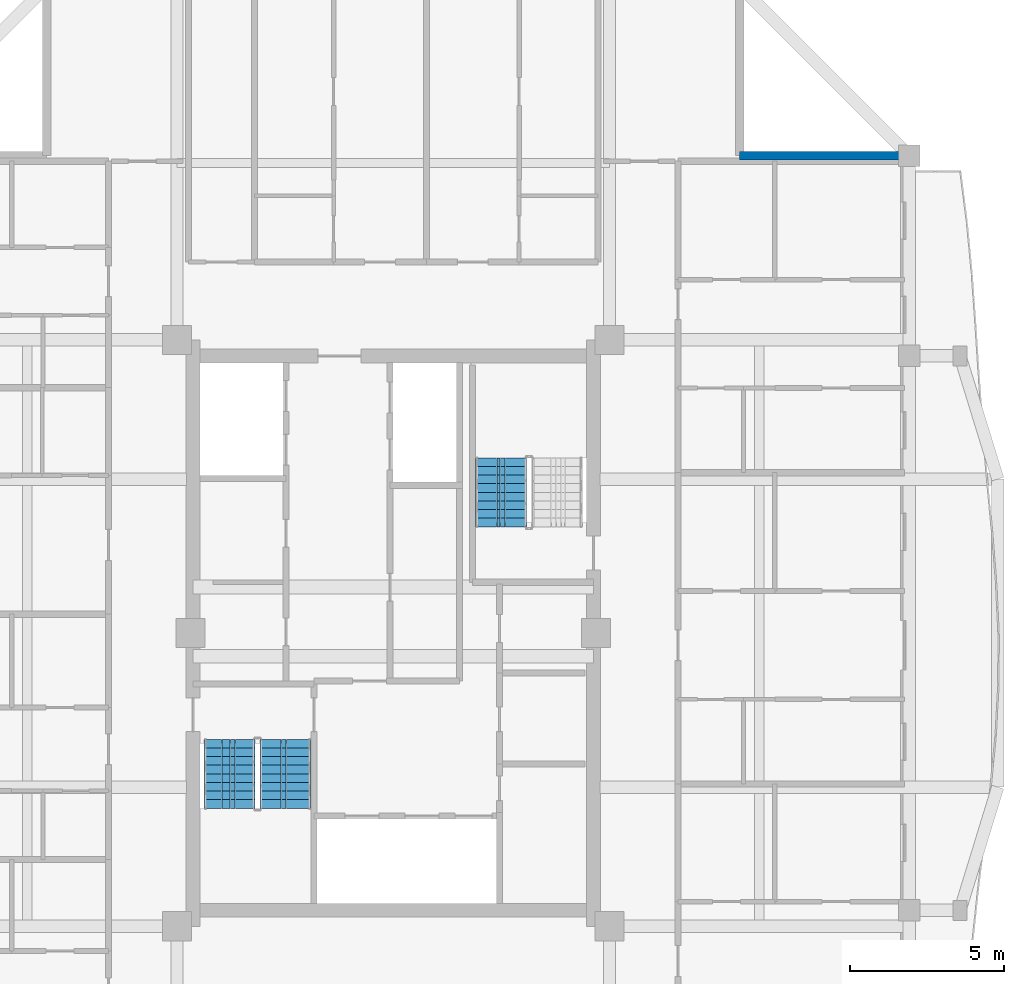
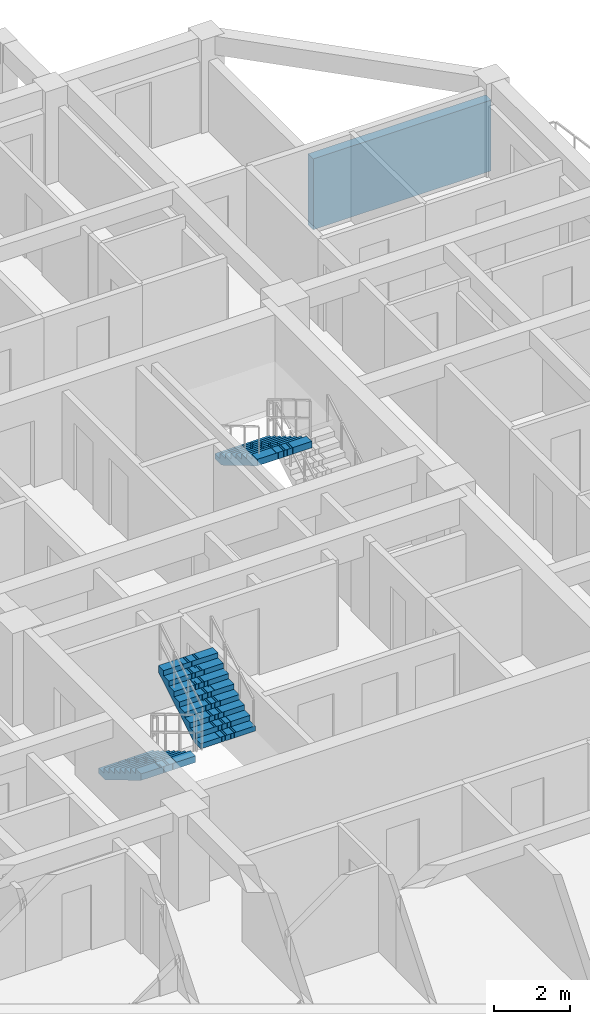
# One storey, part 8 of 14: 3 stair flights, 1 wall, 2 elements without a shape of their own.
"""IFC4 building model written with IfcOpenShell, lengths in metres."""

from ifc_helpers import new_model, si_unit, direction, frame, frame_2d, origin, place, context, subcontext, project, spatial, polyline, rectangle, outline, extrude, material, layer, layer_set, type_object, element, aggregate, save


model = new_model("IFC4")

# Units and contexts
model_context = context("Model", 3, precision=1e-05, world=origin(), true_north=direction((0.0, 1.0)))
body_context = subcontext(model_context, "Body", "Model", "MODEL_VIEW")
ifc_project = project(units=[si_unit("LENGTHUNIT", "METRE"), si_unit("AREAUNIT", "SQUARE_METRE"), si_unit("VOLUMEUNIT", "CUBIC_METRE"), si_unit("PLANEANGLEUNIT", "RADIAN"), si_unit("MASSUNIT", "GRAM", prefix="KILO")], contexts=[model_context])

# Site, building, storey
site_placement = place(None, origin())
site = spatial("IfcSite", under=ifc_project, at=site_placement, CompositionType="ELEMENT")
building_placement = place(site_placement, origin())
building = spatial("IfcBuilding", under=site, at=building_placement, Name="Saelheon Loggia Tower", CompositionType="ELEMENT")
storey_placement = place(building_placement, frame((0.0, 0.0, 230.10009765625)))
storey = spatial("IfcBuildingStorey", under=building, at=storey_placement, Name="L71", CompositionType="ELEMENT", Elevation=230.10009765625)

# Wall
ifc_material_1 = material(Name="Architectural Precast Concrete C40/50", Category="concrete")
ifc_layer = layer(ifc_material_1, 0.280029296875)
ifc_layer_set = layer_set([ifc_layer], Name="Architectural Precast Concrete C40/50")
wall_type = type_object("IfcWallType", Name="Wall_Ext_Loggia_280", PredefinedType="SOLIDWALL", material=ifc_layer_set)
wall_placement = place(storey_placement, frame((49.25, 42.5, 0.0), z_axis=(0.0, 0.0, 1.0), x_axis=(1.0, 0.0, 0.0)))
element("IfcWall", 1, at=wall_placement, inside=storey, type_object=wall_type, Name="L71 Corner Notch Precast Wall NE2", PredefinedType="SOLIDWALL", context=body_context, shape_type="SweptSolid", body=[
    extrude(rectangle(XDim=5.419921875, YDim=0.280029296875, at=frame_2d((2.7099609375, 0.0))), origin(), (0.0, 0.0, 1.0), 2.27978515625),
])

# Stair, stair flights
ifc_material_2 = material(Name="Concrete C40/50", Category="concrete")
stair_type = type_object("IfcStairType", Name="Stair_Escape_Core", PredefinedType="HALF_TURN_STAIR", material=ifc_material_2)
stair_1_placement = place(storey_placement, origin())
stair_1 = element("IfcStair", 2, at=stair_1_placement, inside=storey, type_object=stair_type, Name="L71 Special Escape Stair ST1", PredefinedType="HALF_TURN_STAIR")
stair_flight_type = type_object("IfcStairFlightType", Name="StairFlight_Tower_1660", PredefinedType="STRAIGHT", material=ifc_material_2)
stair_flight_1_placement = place(storey_placement, frame((32.679931640625, 23.550048828125, 0.0), z_axis=(0.0, 0.0, 1.0), x_axis=(0.0, -1.0, 0.0)))
stair_flight_1 = element("IfcStairFlight", 3, at=stair_flight_1_placement, type_object=stair_flight_type, Name="ST1 flight 1", NumberOfRisers=9, NumberOfTreads=8, PredefinedType="STRAIGHT", RiserHeight=0.166666667, TreadLength=0.28, context=body_context, shape_type="SweptSolid", body=[
    extrude(outline(polyline([(0.0, 0.0), (0.0, 0.166748046875), (0.280029296875, 0.166748046875), (0.280029296875, 0.333251953125), (0.56005859375, 0.333251953125), (0.56005859375, 0.5), (0.840087890625, 0.5), (0.840087890625, 0.666748046875), (1.1201171875, 0.666748046875), (1.1201171875, 0.833251953125), (1.39990234375, 0.833251953125), (1.39990234375, 1.0), (1.679931640625, 1.0), (1.679931640625, 1.166748046875), (1.9599609375, 1.166748046875), (1.9599609375, 1.333251953125), (2.239990234375, 1.333251953125), (2.239990234375, 1.5), (2.239990234375, 1.1240234375), (0.351806640625, 0.0), (0.0, 0.0)])), frame((0.0, -0.2490234375, 0.0), z_axis=(0.0, -1.0, 0.0), x_axis=(1.0, 0.0, 0.0)), (0.0, 0.0, 1.0), 0.5810546875),
    extrude(outline(polyline([(0.0, 0.0), (0.0, 0.166748046875), (0.280029296875, 0.166748046875), (0.280029296875, 0.333251953125), (0.56005859375, 0.333251953125), (0.56005859375, 0.5), (0.840087890625, 0.5), (0.840087890625, 0.666748046875), (1.1201171875, 0.666748046875), (1.1201171875, 0.833251953125), (1.39990234375, 0.833251953125), (1.39990234375, 1.0), (1.679931640625, 1.0), (1.679931640625, 1.166748046875), (1.9599609375, 1.166748046875), (1.9599609375, 1.333251953125), (2.239990234375, 1.333251953125), (2.239990234375, 1.5), (2.239990234375, 1.1240234375), (0.351806640625, 0.0), (0.0, 0.0)])), frame((0.0, -0.194091796875, 0.0), z_axis=(0.0, -1.0, 0.0), x_axis=(1.0, 0.0, 0.0)), (0.0, 0.0, 1.0), 0.0498046875),
    extrude(outline(polyline([(0.0, 0.0), (0.0, 0.166748046875), (0.280029296875, 0.166748046875), (0.280029296875, 0.333251953125), (0.56005859375, 0.333251953125), (0.56005859375, 0.5), (0.840087890625, 0.5), (0.840087890625, 0.666748046875), (1.1201171875, 0.666748046875), (1.1201171875, 0.833251953125), (1.39990234375, 0.833251953125), (1.39990234375, 1.0), (1.679931640625, 1.0), (1.679931640625, 1.166748046875), (1.9599609375, 1.166748046875), (1.9599609375, 1.333251953125), (2.239990234375, 1.333251953125), (2.239990234375, 1.5), (2.239990234375, 1.1240234375), (0.351806640625, 0.0), (0.0, 0.0)])), frame((0.0, -0.139404296875, 0.0), z_axis=(0.0, -1.0, 0.0), x_axis=(1.0, 0.0, 0.0)), (0.0, 0.0, 1.0), 0.0498046875),
    extrude(outline(polyline([(0.0, 0.0), (0.0, 0.166748046875), (0.280029296875, 0.166748046875), (0.280029296875, 0.333251953125), (0.56005859375, 0.333251953125), (0.56005859375, 0.5), (0.840087890625, 0.5), (0.840087890625, 0.666748046875), (1.1201171875, 0.666748046875), (1.1201171875, 0.833251953125), (1.39990234375, 0.833251953125), (1.39990234375, 1.0), (1.679931640625, 1.0), (1.679931640625, 1.166748046875), (1.9599609375, 1.166748046875), (1.9599609375, 1.333251953125), (2.239990234375, 1.333251953125), (2.239990234375, 1.5), (2.239990234375, 1.1240234375), (0.351806640625, 0.0), (0.0, 0.0)])), frame((0.0, -0.084716796875, 0.0), z_axis=(0.0, -1.0, 0.0), x_axis=(1.0, 0.0, 0.0)), (0.0, 0.0, 1.0), 0.0498046875),
    extrude(outline(polyline([(0.0, 0.0), (0.0, 0.166748046875), (0.280029296875, 0.166748046875), (0.280029296875, 0.333251953125), (0.56005859375, 0.333251953125), (0.56005859375, 0.5), (0.840087890625, 0.5), (0.840087890625, 0.666748046875), (1.1201171875, 0.666748046875), (1.1201171875, 0.833251953125), (1.39990234375, 0.833251953125), (1.39990234375, 1.0), (1.679931640625, 1.0), (1.679931640625, 1.166748046875), (1.9599609375, 1.166748046875), (1.9599609375, 1.333251953125), (2.239990234375, 1.333251953125), (2.239990234375, 1.5), (2.239990234375, 1.1240234375), (0.351806640625, 0.0), (0.0, 0.0)])), frame((0.0, -0.02978515625, 0.0), z_axis=(0.0, -1.0, 0.0), x_axis=(1.0, 0.0, 0.0)), (0.0, 0.0, 1.0), 0.0498046875),
    extrude(outline(polyline([(0.0, 0.0), (0.0, 0.166748046875), (0.280029296875, 0.166748046875), (0.280029296875, 0.333251953125), (0.56005859375, 0.333251953125), (0.56005859375, 0.5), (0.840087890625, 0.5), (0.840087890625, 0.666748046875), (1.1201171875, 0.666748046875), (1.1201171875, 0.833251953125), (1.39990234375, 0.833251953125), (1.39990234375, 1.0), (1.679931640625, 1.0), (1.679931640625, 1.166748046875), (1.9599609375, 1.166748046875), (1.9599609375, 1.333251953125), (2.239990234375, 1.333251953125), (2.239990234375, 1.5), (2.239990234375, 1.1240234375), (0.351806640625, 0.0), (0.0, 0.0)])), frame((0.0, 0.02490234375, 0.0), z_axis=(0.0, -1.0, 0.0), x_axis=(1.0, 0.0, 0.0)), (0.0, 0.0, 1.0), 0.0498046875),
    extrude(outline(polyline([(0.0, 0.0), (0.0, 0.166748046875), (0.280029296875, 0.166748046875), (0.280029296875, 0.333251953125), (0.56005859375, 0.333251953125), (0.56005859375, 0.5), (0.840087890625, 0.5), (0.840087890625, 0.666748046875), (1.1201171875, 0.666748046875), (1.1201171875, 0.833251953125), (1.39990234375, 0.833251953125), (1.39990234375, 1.0), (1.679931640625, 1.0), (1.679931640625, 1.166748046875), (1.9599609375, 1.166748046875), (1.9599609375, 1.333251953125), (2.239990234375, 1.333251953125), (2.239990234375, 1.5), (2.239990234375, 1.1240234375), (0.351806640625, 0.0), (0.0, 0.0)])), frame((0.0, 0.07958984375, 0.0), z_axis=(0.0, -1.0, 0.0), x_axis=(1.0, 0.0, 0.0)), (0.0, 0.0, 1.0), 0.0498046875),
    extrude(outline(polyline([(0.0, 0.0), (0.0, 0.166748046875), (0.280029296875, 0.166748046875), (0.280029296875, 0.333251953125), (0.56005859375, 0.333251953125), (0.56005859375, 0.5), (0.840087890625, 0.5), (0.840087890625, 0.666748046875), (1.1201171875, 0.666748046875), (1.1201171875, 0.833251953125), (1.39990234375, 0.833251953125), (1.39990234375, 1.0), (1.679931640625, 1.0), (1.679931640625, 1.166748046875), (1.9599609375, 1.166748046875), (1.9599609375, 1.333251953125), (2.239990234375, 1.333251953125), (2.239990234375, 1.5), (2.239990234375, 1.1240234375), (0.351806640625, 0.0), (0.0, 0.0)])), frame((0.0, 0.134521484375, 0.0), z_axis=(0.0, -1.0, 0.0), x_axis=(1.0, 0.0, 0.0)), (0.0, 0.0, 1.0), 0.0498046875),
    extrude(outline(polyline([(0.0, 0.0), (0.0, 0.166748046875), (0.280029296875, 0.166748046875), (0.280029296875, 0.333251953125), (0.56005859375, 0.333251953125), (0.56005859375, 0.5), (0.840087890625, 0.5), (0.840087890625, 0.666748046875), (1.1201171875, 0.666748046875), (1.1201171875, 0.833251953125), (1.39990234375, 0.833251953125), (1.39990234375, 1.0), (1.679931640625, 1.0), (1.679931640625, 1.166748046875), (1.9599609375, 1.166748046875), (1.9599609375, 1.333251953125), (2.239990234375, 1.333251953125), (2.239990234375, 1.5), (2.239990234375, 1.1240234375), (0.351806640625, 0.0), (0.0, 0.0)])), frame((0.0, 0.189208984375, 0.0), z_axis=(0.0, -1.0, 0.0), x_axis=(1.0, 0.0, 0.0)), (0.0, 0.0, 1.0), 0.0498046875),
    extrude(outline(polyline([(0.0, 0.0), (0.0, 0.166748046875), (0.280029296875, 0.166748046875), (0.280029296875, 0.333251953125), (0.56005859375, 0.333251953125), (0.56005859375, 0.5), (0.840087890625, 0.5), (0.840087890625, 0.666748046875), (1.1201171875, 0.666748046875), (1.1201171875, 0.833251953125), (1.39990234375, 0.833251953125), (1.39990234375, 1.0), (1.679931640625, 1.0), (1.679931640625, 1.166748046875), (1.9599609375, 1.166748046875), (1.9599609375, 1.333251953125), (2.239990234375, 1.333251953125), (2.239990234375, 1.5), (2.239990234375, 1.1240234375), (0.351806640625, 0.0), (0.0, 0.0)])), frame((0.0, 0.243896484375, 0.0), z_axis=(0.0, -1.0, 0.0), x_axis=(1.0, 0.0, 0.0)), (0.0, 0.0, 1.0), 0.0498046875),
    extrude(outline(polyline([(0.0, 0.0), (0.0, 0.166748046875), (0.280029296875, 0.166748046875), (0.280029296875, 0.333251953125), (0.56005859375, 0.333251953125), (0.56005859375, 0.5), (0.840087890625, 0.5), (0.840087890625, 0.666748046875), (1.1201171875, 0.666748046875), (1.1201171875, 0.833251953125), (1.39990234375, 0.833251953125), (1.39990234375, 1.0), (1.679931640625, 1.0), (1.679931640625, 1.166748046875), (1.9599609375, 1.166748046875), (1.9599609375, 1.333251953125), (2.239990234375, 1.333251953125), (2.239990234375, 1.5), (2.239990234375, 1.1240234375), (0.351806640625, 0.0), (0.0, 0.0)])), frame((0.0, 0.830078125, 0.0), z_axis=(0.0, -1.0, 0.0), x_axis=(1.0, 0.0, 0.0)), (0.0, 0.0, 1.0), 0.5810546875),
])
stair_flight_2_placement = place(storey_placement, frame((34.5, 21.31005859375, 1.5), z_axis=(0.0, 0.0, 1.0), x_axis=(0.0, 1.0, 0.0)))
stair_flight_2 = element("IfcStairFlight", 4, at=stair_flight_2_placement, type_object=stair_flight_type, Name="ST1 flight 2", NumberOfRisers=9, NumberOfTreads=8, PredefinedType="STRAIGHT", RiserHeight=0.166666667, TreadLength=0.28, context=body_context, shape_type="SweptSolid", body=[
    extrude(outline(polyline([(0.0, 0.0), (0.0, 0.166748046875), (0.280029296875, 0.166748046875), (0.280029296875, 0.333251953125), (0.56005859375, 0.333251953125), (0.56005859375, 0.5), (0.840087890625, 0.5), (0.840087890625, 0.666748046875), (1.1201171875, 0.666748046875), (1.1201171875, 0.833251953125), (1.39990234375, 0.833251953125), (1.39990234375, 1.0), (1.679931640625, 1.0), (1.679931640625, 1.166748046875), (1.9599609375, 1.166748046875), (1.9599609375, 1.333251953125), (2.239990234375, 1.333251953125), (2.239990234375, 1.5), (2.239990234375, 1.1240234375), (0.351806640625, 0.0), (0.0, 0.0)])), frame((0.0, -0.2490234375, 0.0), z_axis=(0.0, -1.0, 0.0), x_axis=(1.0, 0.0, 0.0)), (0.0, 0.0, 1.0), 0.5810546875),
    extrude(outline(polyline([(0.0, 0.0), (0.0, 0.166748046875), (0.280029296875, 0.166748046875), (0.280029296875, 0.333251953125), (0.56005859375, 0.333251953125), (0.56005859375, 0.5), (0.840087890625, 0.5), (0.840087890625, 0.666748046875), (1.1201171875, 0.666748046875), (1.1201171875, 0.833251953125), (1.39990234375, 0.833251953125), (1.39990234375, 1.0), (1.679931640625, 1.0), (1.679931640625, 1.166748046875), (1.9599609375, 1.166748046875), (1.9599609375, 1.333251953125), (2.239990234375, 1.333251953125), (2.239990234375, 1.5), (2.239990234375, 1.1240234375), (0.351806640625, 0.0), (0.0, 0.0)])), frame((0.0, -0.194091796875, 0.0), z_axis=(0.0, -1.0, 0.0), x_axis=(1.0, 0.0, 0.0)), (0.0, 0.0, 1.0), 0.0498046875),
    extrude(outline(polyline([(0.0, 0.0), (0.0, 0.166748046875), (0.280029296875, 0.166748046875), (0.280029296875, 0.333251953125), (0.56005859375, 0.333251953125), (0.56005859375, 0.5), (0.840087890625, 0.5), (0.840087890625, 0.666748046875), (1.1201171875, 0.666748046875), (1.1201171875, 0.833251953125), (1.39990234375, 0.833251953125), (1.39990234375, 1.0), (1.679931640625, 1.0), (1.679931640625, 1.166748046875), (1.9599609375, 1.166748046875), (1.9599609375, 1.333251953125), (2.239990234375, 1.333251953125), (2.239990234375, 1.5), (2.239990234375, 1.1240234375), (0.351806640625, 0.0), (0.0, 0.0)])), frame((0.0, -0.139404296875, 0.0), z_axis=(0.0, -1.0, 0.0), x_axis=(1.0, 0.0, 0.0)), (0.0, 0.0, 1.0), 0.0498046875),
    extrude(outline(polyline([(0.0, 0.0), (0.0, 0.166748046875), (0.280029296875, 0.166748046875), (0.280029296875, 0.333251953125), (0.56005859375, 0.333251953125), (0.56005859375, 0.5), (0.840087890625, 0.5), (0.840087890625, 0.666748046875), (1.1201171875, 0.666748046875), (1.1201171875, 0.833251953125), (1.39990234375, 0.833251953125), (1.39990234375, 1.0), (1.679931640625, 1.0), (1.679931640625, 1.166748046875), (1.9599609375, 1.166748046875), (1.9599609375, 1.333251953125), (2.239990234375, 1.333251953125), (2.239990234375, 1.5), (2.239990234375, 1.1240234375), (0.351806640625, 0.0), (0.0, 0.0)])), frame((0.0, -0.084716796875, 0.0), z_axis=(0.0, -1.0, 0.0), x_axis=(1.0, 0.0, 0.0)), (0.0, 0.0, 1.0), 0.0498046875),
    extrude(outline(polyline([(0.0, 0.0), (0.0, 0.166748046875), (0.280029296875, 0.166748046875), (0.280029296875, 0.333251953125), (0.56005859375, 0.333251953125), (0.56005859375, 0.5), (0.840087890625, 0.5), (0.840087890625, 0.666748046875), (1.1201171875, 0.666748046875), (1.1201171875, 0.833251953125), (1.39990234375, 0.833251953125), (1.39990234375, 1.0), (1.679931640625, 1.0), (1.679931640625, 1.166748046875), (1.9599609375, 1.166748046875), (1.9599609375, 1.333251953125), (2.239990234375, 1.333251953125), (2.239990234375, 1.5), (2.239990234375, 1.1240234375), (0.351806640625, 0.0), (0.0, 0.0)])), frame((0.0, -0.02978515625, 0.0), z_axis=(0.0, -1.0, 0.0), x_axis=(1.0, 0.0, 0.0)), (0.0, 0.0, 1.0), 0.0498046875),
    extrude(outline(polyline([(0.0, 0.0), (0.0, 0.166748046875), (0.280029296875, 0.166748046875), (0.280029296875, 0.333251953125), (0.56005859375, 0.333251953125), (0.56005859375, 0.5), (0.840087890625, 0.5), (0.840087890625, 0.666748046875), (1.1201171875, 0.666748046875), (1.1201171875, 0.833251953125), (1.39990234375, 0.833251953125), (1.39990234375, 1.0), (1.679931640625, 1.0), (1.679931640625, 1.166748046875), (1.9599609375, 1.166748046875), (1.9599609375, 1.333251953125), (2.239990234375, 1.333251953125), (2.239990234375, 1.5), (2.239990234375, 1.1240234375), (0.351806640625, 0.0), (0.0, 0.0)])), frame((0.0, 0.02490234375, 0.0), z_axis=(0.0, -1.0, 0.0), x_axis=(1.0, 0.0, 0.0)), (0.0, 0.0, 1.0), 0.0498046875),
    extrude(outline(polyline([(0.0, 0.0), (0.0, 0.166748046875), (0.280029296875, 0.166748046875), (0.280029296875, 0.333251953125), (0.56005859375, 0.333251953125), (0.56005859375, 0.5), (0.840087890625, 0.5), (0.840087890625, 0.666748046875), (1.1201171875, 0.666748046875), (1.1201171875, 0.833251953125), (1.39990234375, 0.833251953125), (1.39990234375, 1.0), (1.679931640625, 1.0), (1.679931640625, 1.166748046875), (1.9599609375, 1.166748046875), (1.9599609375, 1.333251953125), (2.239990234375, 1.333251953125), (2.239990234375, 1.5), (2.239990234375, 1.1240234375), (0.351806640625, 0.0), (0.0, 0.0)])), frame((0.0, 0.07958984375, 0.0), z_axis=(0.0, -1.0, 0.0), x_axis=(1.0, 0.0, 0.0)), (0.0, 0.0, 1.0), 0.0498046875),
    extrude(outline(polyline([(0.0, 0.0), (0.0, 0.166748046875), (0.280029296875, 0.166748046875), (0.280029296875, 0.333251953125), (0.56005859375, 0.333251953125), (0.56005859375, 0.5), (0.840087890625, 0.5), (0.840087890625, 0.666748046875), (1.1201171875, 0.666748046875), (1.1201171875, 0.833251953125), (1.39990234375, 0.833251953125), (1.39990234375, 1.0), (1.679931640625, 1.0), (1.679931640625, 1.166748046875), (1.9599609375, 1.166748046875), (1.9599609375, 1.333251953125), (2.239990234375, 1.333251953125), (2.239990234375, 1.5), (2.239990234375, 1.1240234375), (0.351806640625, 0.0), (0.0, 0.0)])), frame((0.0, 0.134521484375, 0.0), z_axis=(0.0, -1.0, 0.0), x_axis=(1.0, 0.0, 0.0)), (0.0, 0.0, 1.0), 0.0498046875),
    extrude(outline(polyline([(0.0, 0.0), (0.0, 0.166748046875), (0.280029296875, 0.166748046875), (0.280029296875, 0.333251953125), (0.56005859375, 0.333251953125), (0.56005859375, 0.5), (0.840087890625, 0.5), (0.840087890625, 0.666748046875), (1.1201171875, 0.666748046875), (1.1201171875, 0.833251953125), (1.39990234375, 0.833251953125), (1.39990234375, 1.0), (1.679931640625, 1.0), (1.679931640625, 1.166748046875), (1.9599609375, 1.166748046875), (1.9599609375, 1.333251953125), (2.239990234375, 1.333251953125), (2.239990234375, 1.5), (2.239990234375, 1.1240234375), (0.351806640625, 0.0), (0.0, 0.0)])), frame((0.0, 0.189208984375, 0.0), z_axis=(0.0, -1.0, 0.0), x_axis=(1.0, 0.0, 0.0)), (0.0, 0.0, 1.0), 0.0498046875),
    extrude(outline(polyline([(0.0, 0.0), (0.0, 0.166748046875), (0.280029296875, 0.166748046875), (0.280029296875, 0.333251953125), (0.56005859375, 0.333251953125), (0.56005859375, 0.5), (0.840087890625, 0.5), (0.840087890625, 0.666748046875), (1.1201171875, 0.666748046875), (1.1201171875, 0.833251953125), (1.39990234375, 0.833251953125), (1.39990234375, 1.0), (1.679931640625, 1.0), (1.679931640625, 1.166748046875), (1.9599609375, 1.166748046875), (1.9599609375, 1.333251953125), (2.239990234375, 1.333251953125), (2.239990234375, 1.5), (2.239990234375, 1.1240234375), (0.351806640625, 0.0), (0.0, 0.0)])), frame((0.0, 0.243896484375, 0.0), z_axis=(0.0, -1.0, 0.0), x_axis=(1.0, 0.0, 0.0)), (0.0, 0.0, 1.0), 0.0498046875),
    extrude(outline(polyline([(0.0, 0.0), (0.0, 0.166748046875), (0.280029296875, 0.166748046875), (0.280029296875, 0.333251953125), (0.56005859375, 0.333251953125), (0.56005859375, 0.5), (0.840087890625, 0.5), (0.840087890625, 0.666748046875), (1.1201171875, 0.666748046875), (1.1201171875, 0.833251953125), (1.39990234375, 0.833251953125), (1.39990234375, 1.0), (1.679931640625, 1.0), (1.679931640625, 1.166748046875), (1.9599609375, 1.166748046875), (1.9599609375, 1.333251953125), (2.239990234375, 1.333251953125), (2.239990234375, 1.5), (2.239990234375, 1.1240234375), (0.351806640625, 0.0), (0.0, 0.0)])), frame((0.0, 0.830078125, 0.0), z_axis=(0.0, -1.0, 0.0), x_axis=(1.0, 0.0, 0.0)), (0.0, 0.0, 1.0), 0.5810546875),
])
aggregate(stair_1, [stair_flight_1, stair_flight_2])

# Stair, stair flight
stair_2_placement = place(storey_placement, origin())
stair_2 = element("IfcStair", 5, at=stair_2_placement, inside=storey, type_object=stair_type, Name="L71 Special Escape Stair ST2", PredefinedType="HALF_TURN_STAIR")
stair_flight_3_placement = place(storey_placement, frame((41.5, 32.68994140625, 1.5), z_axis=(0.0, 0.0, 1.0), x_axis=(0.0, -1.0, 0.0)))
stair_flight_3 = element("IfcStairFlight", 6, at=stair_flight_3_placement, type_object=stair_flight_type, Name="ST2 flight 2", NumberOfRisers=9, NumberOfTreads=8, PredefinedType="STRAIGHT", RiserHeight=0.166666667, TreadLength=0.28, context=body_context, shape_type="SweptSolid", body=[
    extrude(outline(polyline([(0.0, 0.0), (0.0, 0.166748046875), (0.280029296875, 0.166748046875), (0.280029296875, 0.333251953125), (0.56005859375, 0.333251953125), (0.56005859375, 0.5), (0.840087890625, 0.5), (0.840087890625, 0.666748046875), (1.1201171875, 0.666748046875), (1.1201171875, 0.833251953125), (1.39990234375, 0.833251953125), (1.39990234375, 1.0), (1.679931640625, 1.0), (1.679931640625, 1.166748046875), (1.9599609375, 1.166748046875), (1.9599609375, 1.333251953125), (2.239990234375, 1.333251953125), (2.239990234375, 1.5), (2.239990234375, 1.1240234375), (0.351806640625, 0.0), (0.0, 0.0)])), frame((0.0, -0.2490234375, 0.0), z_axis=(0.0, -1.0, 0.0), x_axis=(1.0, 0.0, 0.0)), (0.0, 0.0, 1.0), 0.5810546875),
    extrude(outline(polyline([(0.0, 0.0), (0.0, 0.166748046875), (0.280029296875, 0.166748046875), (0.280029296875, 0.333251953125), (0.56005859375, 0.333251953125), (0.56005859375, 0.5), (0.840087890625, 0.5), (0.840087890625, 0.666748046875), (1.1201171875, 0.666748046875), (1.1201171875, 0.833251953125), (1.39990234375, 0.833251953125), (1.39990234375, 1.0), (1.679931640625, 1.0), (1.679931640625, 1.166748046875), (1.9599609375, 1.166748046875), (1.9599609375, 1.333251953125), (2.239990234375, 1.333251953125), (2.239990234375, 1.5), (2.239990234375, 1.1240234375), (0.351806640625, 0.0), (0.0, 0.0)])), frame((0.0, -0.194091796875, 0.0), z_axis=(0.0, -1.0, 0.0), x_axis=(1.0, 0.0, 0.0)), (0.0, 0.0, 1.0), 0.0498046875),
    extrude(outline(polyline([(0.0, 0.0), (0.0, 0.166748046875), (0.280029296875, 0.166748046875), (0.280029296875, 0.333251953125), (0.56005859375, 0.333251953125), (0.56005859375, 0.5), (0.840087890625, 0.5), (0.840087890625, 0.666748046875), (1.1201171875, 0.666748046875), (1.1201171875, 0.833251953125), (1.39990234375, 0.833251953125), (1.39990234375, 1.0), (1.679931640625, 1.0), (1.679931640625, 1.166748046875), (1.9599609375, 1.166748046875), (1.9599609375, 1.333251953125), (2.239990234375, 1.333251953125), (2.239990234375, 1.5), (2.239990234375, 1.1240234375), (0.351806640625, 0.0), (0.0, 0.0)])), frame((0.0, -0.139404296875, 0.0), z_axis=(0.0, -1.0, 0.0), x_axis=(1.0, 0.0, 0.0)), (0.0, 0.0, 1.0), 0.0498046875),
    extrude(outline(polyline([(0.0, 0.0), (0.0, 0.166748046875), (0.280029296875, 0.166748046875), (0.280029296875, 0.333251953125), (0.56005859375, 0.333251953125), (0.56005859375, 0.5), (0.840087890625, 0.5), (0.840087890625, 0.666748046875), (1.1201171875, 0.666748046875), (1.1201171875, 0.833251953125), (1.39990234375, 0.833251953125), (1.39990234375, 1.0), (1.679931640625, 1.0), (1.679931640625, 1.166748046875), (1.9599609375, 1.166748046875), (1.9599609375, 1.333251953125), (2.239990234375, 1.333251953125), (2.239990234375, 1.5), (2.239990234375, 1.1240234375), (0.351806640625, 0.0), (0.0, 0.0)])), frame((0.0, -0.084716796875, 0.0), z_axis=(0.0, -1.0, 0.0), x_axis=(1.0, 0.0, 0.0)), (0.0, 0.0, 1.0), 0.0498046875),
    extrude(outline(polyline([(0.0, 0.0), (0.0, 0.166748046875), (0.280029296875, 0.166748046875), (0.280029296875, 0.333251953125), (0.56005859375, 0.333251953125), (0.56005859375, 0.5), (0.840087890625, 0.5), (0.840087890625, 0.666748046875), (1.1201171875, 0.666748046875), (1.1201171875, 0.833251953125), (1.39990234375, 0.833251953125), (1.39990234375, 1.0), (1.679931640625, 1.0), (1.679931640625, 1.166748046875), (1.9599609375, 1.166748046875), (1.9599609375, 1.333251953125), (2.239990234375, 1.333251953125), (2.239990234375, 1.5), (2.239990234375, 1.1240234375), (0.351806640625, 0.0), (0.0, 0.0)])), frame((0.0, -0.02978515625, 0.0), z_axis=(0.0, -1.0, 0.0), x_axis=(1.0, 0.0, 0.0)), (0.0, 0.0, 1.0), 0.0498046875),
    extrude(outline(polyline([(0.0, 0.0), (0.0, 0.166748046875), (0.280029296875, 0.166748046875), (0.280029296875, 0.333251953125), (0.56005859375, 0.333251953125), (0.56005859375, 0.5), (0.840087890625, 0.5), (0.840087890625, 0.666748046875), (1.1201171875, 0.666748046875), (1.1201171875, 0.833251953125), (1.39990234375, 0.833251953125), (1.39990234375, 1.0), (1.679931640625, 1.0), (1.679931640625, 1.166748046875), (1.9599609375, 1.166748046875), (1.9599609375, 1.333251953125), (2.239990234375, 1.333251953125), (2.239990234375, 1.5), (2.239990234375, 1.1240234375), (0.351806640625, 0.0), (0.0, 0.0)])), frame((0.0, 0.02490234375, 0.0), z_axis=(0.0, -1.0, 0.0), x_axis=(1.0, 0.0, 0.0)), (0.0, 0.0, 1.0), 0.0498046875),
    extrude(outline(polyline([(0.0, 0.0), (0.0, 0.166748046875), (0.280029296875, 0.166748046875), (0.280029296875, 0.333251953125), (0.56005859375, 0.333251953125), (0.56005859375, 0.5), (0.840087890625, 0.5), (0.840087890625, 0.666748046875), (1.1201171875, 0.666748046875), (1.1201171875, 0.833251953125), (1.39990234375, 0.833251953125), (1.39990234375, 1.0), (1.679931640625, 1.0), (1.679931640625, 1.166748046875), (1.9599609375, 1.166748046875), (1.9599609375, 1.333251953125), (2.239990234375, 1.333251953125), (2.239990234375, 1.5), (2.239990234375, 1.1240234375), (0.351806640625, 0.0), (0.0, 0.0)])), frame((0.0, 0.07958984375, 0.0), z_axis=(0.0, -1.0, 0.0), x_axis=(1.0, 0.0, 0.0)), (0.0, 0.0, 1.0), 0.0498046875),
    extrude(outline(polyline([(0.0, 0.0), (0.0, 0.166748046875), (0.280029296875, 0.166748046875), (0.280029296875, 0.333251953125), (0.56005859375, 0.333251953125), (0.56005859375, 0.5), (0.840087890625, 0.5), (0.840087890625, 0.666748046875), (1.1201171875, 0.666748046875), (1.1201171875, 0.833251953125), (1.39990234375, 0.833251953125), (1.39990234375, 1.0), (1.679931640625, 1.0), (1.679931640625, 1.166748046875), (1.9599609375, 1.166748046875), (1.9599609375, 1.333251953125), (2.239990234375, 1.333251953125), (2.239990234375, 1.5), (2.239990234375, 1.1240234375), (0.351806640625, 0.0), (0.0, 0.0)])), frame((0.0, 0.134521484375, 0.0), z_axis=(0.0, -1.0, 0.0), x_axis=(1.0, 0.0, 0.0)), (0.0, 0.0, 1.0), 0.0498046875),
    extrude(outline(polyline([(0.0, 0.0), (0.0, 0.166748046875), (0.280029296875, 0.166748046875), (0.280029296875, 0.333251953125), (0.56005859375, 0.333251953125), (0.56005859375, 0.5), (0.840087890625, 0.5), (0.840087890625, 0.666748046875), (1.1201171875, 0.666748046875), (1.1201171875, 0.833251953125), (1.39990234375, 0.833251953125), (1.39990234375, 1.0), (1.679931640625, 1.0), (1.679931640625, 1.166748046875), (1.9599609375, 1.166748046875), (1.9599609375, 1.333251953125), (2.239990234375, 1.333251953125), (2.239990234375, 1.5), (2.239990234375, 1.1240234375), (0.351806640625, 0.0), (0.0, 0.0)])), frame((0.0, 0.189208984375, 0.0), z_axis=(0.0, -1.0, 0.0), x_axis=(1.0, 0.0, 0.0)), (0.0, 0.0, 1.0), 0.0498046875),
    extrude(outline(polyline([(0.0, 0.0), (0.0, 0.166748046875), (0.280029296875, 0.166748046875), (0.280029296875, 0.333251953125), (0.56005859375, 0.333251953125), (0.56005859375, 0.5), (0.840087890625, 0.5), (0.840087890625, 0.666748046875), (1.1201171875, 0.666748046875), (1.1201171875, 0.833251953125), (1.39990234375, 0.833251953125), (1.39990234375, 1.0), (1.679931640625, 1.0), (1.679931640625, 1.166748046875), (1.9599609375, 1.166748046875), (1.9599609375, 1.333251953125), (2.239990234375, 1.333251953125), (2.239990234375, 1.5), (2.239990234375, 1.1240234375), (0.351806640625, 0.0), (0.0, 0.0)])), frame((0.0, 0.243896484375, 0.0), z_axis=(0.0, -1.0, 0.0), x_axis=(1.0, 0.0, 0.0)), (0.0, 0.0, 1.0), 0.0498046875),
    extrude(outline(polyline([(0.0, 0.0), (0.0, 0.166748046875), (0.280029296875, 0.166748046875), (0.280029296875, 0.333251953125), (0.56005859375, 0.333251953125), (0.56005859375, 0.5), (0.840087890625, 0.5), (0.840087890625, 0.666748046875), (1.1201171875, 0.666748046875), (1.1201171875, 0.833251953125), (1.39990234375, 0.833251953125), (1.39990234375, 1.0), (1.679931640625, 1.0), (1.679931640625, 1.166748046875), (1.9599609375, 1.166748046875), (1.9599609375, 1.333251953125), (2.239990234375, 1.333251953125), (2.239990234375, 1.5), (2.239990234375, 1.1240234375), (0.351806640625, 0.0), (0.0, 0.0)])), frame((0.0, 0.830078125, 0.0), z_axis=(0.0, -1.0, 0.0), x_axis=(1.0, 0.0, 0.0)), (0.0, 0.0, 1.0), 0.5810546875),
])
aggregate(stair_2, [stair_flight_3])

save(model, "model.ifc")
